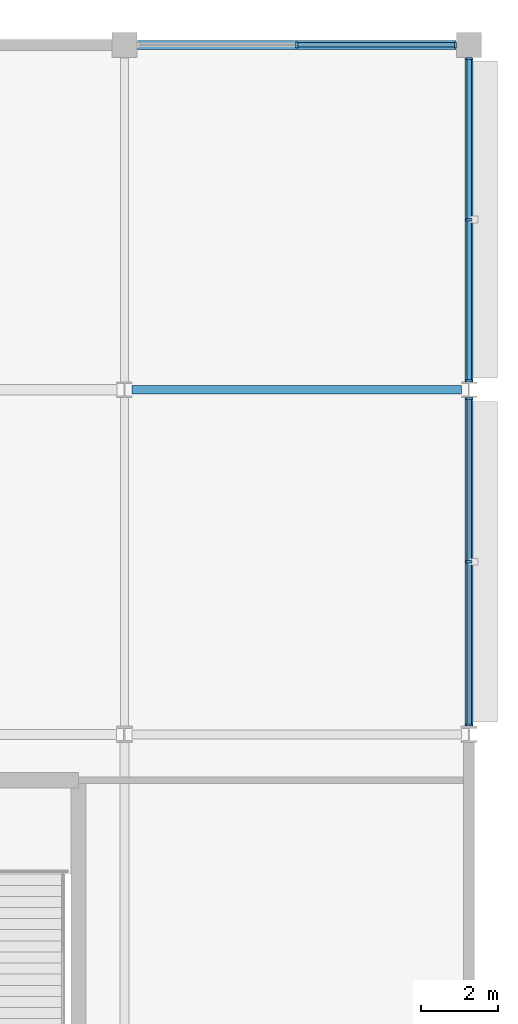
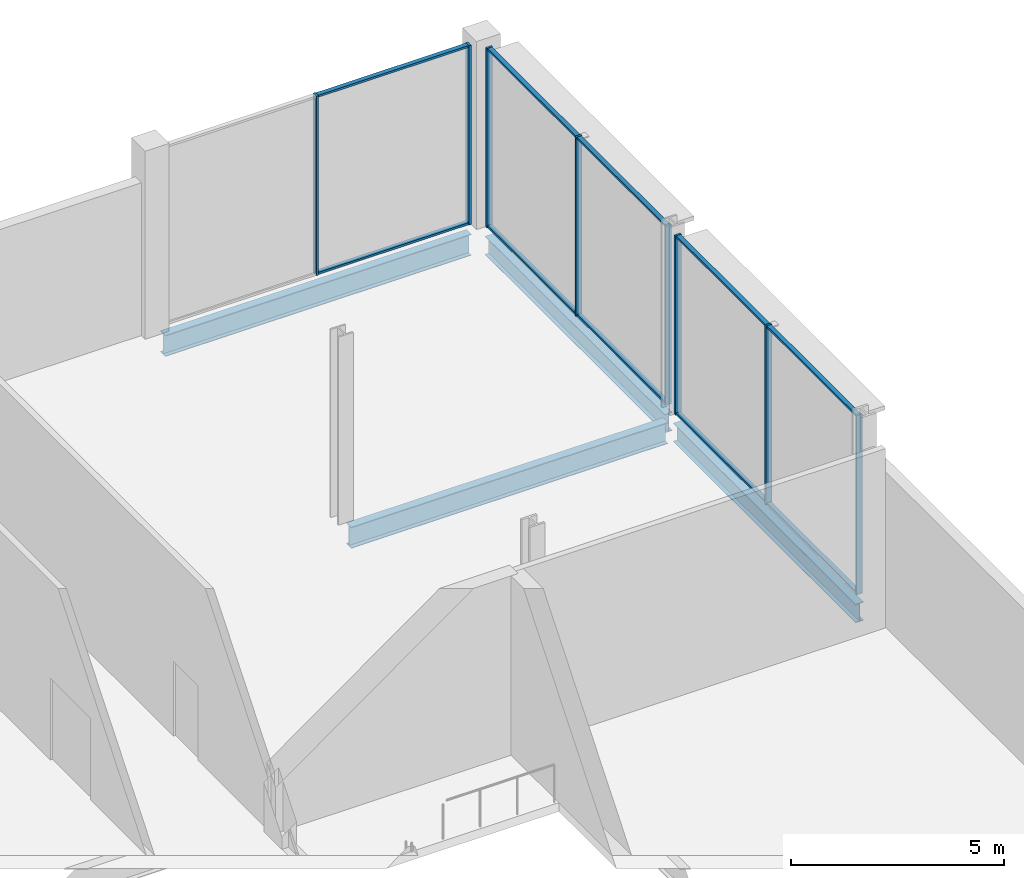
# One storey, part 59 of 113: 18 members, 4 beams, 3 elements without a shape of their own.
"""IFC4 building model written with IfcOpenShell, lengths in metres."""

from ifc_helpers import new_model, si_unit, direction, frame, origin, origin_2d, place, context, subcontext, project, spatial, rectangle, i_section, extrude, material, layer, layer_set, material_profile, profile_set, type_object, element, aggregate, save


model = new_model("IFC4")

# Units and contexts
model_context = context("Model", 3, precision=1e-05, world=origin(), true_north=direction((0.0, 1.0)))
body_context = subcontext(model_context, "Body", "Model", "MODEL_VIEW")
ifc_project = project(units=[si_unit("LENGTHUNIT", "METRE"), si_unit("AREAUNIT", "SQUARE_METRE"), si_unit("VOLUMEUNIT", "CUBIC_METRE"), si_unit("PLANEANGLEUNIT", "RADIAN"), si_unit("MASSUNIT", "GRAM", prefix="KILO")], contexts=[model_context])

# Site, building, storey
site_placement = place(None, origin())
site = spatial("IfcSite", under=ifc_project, at=site_placement, CompositionType="ELEMENT")
building_placement = place(site_placement, origin())
building = spatial("IfcBuilding", under=site, at=building_placement, Name="Kisiwana Market Hall", CompositionType="ELEMENT")
storey_placement = place(building_placement, frame((0.0, 0.0, 6.0)))
storey = spatial("IfcBuildingStorey", under=building, at=storey_placement, Name="L01", CompositionType="ELEMENT", Elevation=6.0)

# Beams
ifc_material_1 = material(Name="Steel S355", Category="steel")
ifc_material_profile_1 = material_profile(ifc_material_1, i_section(OverallWidth=0.209228515625, OverallDepth=0.533203125, WebThickness=0.010009765625, FlangeThickness=0.015625, at=origin_2d()), Name="UB 533x210x92")
ifc_profile_set_1 = profile_set([ifc_material_profile_1], Name="Steel S355")
beam_type_1 = type_object("IfcBeamType", Name="BM-GIRD-UB533", PredefinedType="BEAM", material=ifc_profile_set_1)
beam_1_placement = place(storey_placement, frame((198.0, 102.21337890625, -0.5166015625), z_axis=(0.0, 1.0, 0.0), x_axis=(-1.0, 0.0, 0.0)))
element("IfcBeam", 1, at=beam_1_placement, inside=storey, type_object=beam_type_1, Name="Floor beam B-0577", PredefinedType="BEAM", context=body_context, shape_type="SweptSolid", body=[
    extrude(i_section(OverallWidth=0.209228515625, OverallDepth=0.533203125, WebThickness=0.010009765625, FlangeThickness=0.015625, at=origin_2d()), origin(), (0.0, 0.0, 1.0), 8.58740234375),
])
beam_2_placement = place(storey_placement, frame((198.0, 111.19921875, -0.5166015625), z_axis=(0.0, 1.0, 0.0), x_axis=(-1.0, 0.0, 0.0)))
element("IfcBeam", 2, at=beam_2_placement, inside=storey, type_object=beam_type_1, Name="Floor beam B-0578", PredefinedType="BEAM", context=body_context, shape_type="SweptSolid", body=[
    extrude(i_section(OverallWidth=0.209228515625, OverallDepth=0.533203125, WebThickness=0.010009765625, FlangeThickness=0.015625, at=origin_2d()), origin(), (0.0, 0.0, 1.0), 8.454833984375),
])
ifc_material_2 = material(Name="Steel S355", Category="steel")
ifc_material_profile_2 = material_profile(ifc_material_2, i_section(OverallWidth=0.22900390625, OverallDepth=0.6123046875, WebThickness=0.011962890625, FlangeThickness=0.01953125, at=origin_2d()), Name="UB 610x229x125")
ifc_profile_set_2 = profile_set([ifc_material_profile_2], Name="Steel S355")
beam_type_2 = type_object("IfcBeamType", Name="BM-GIRD-UB610H", PredefinedType="BEAM", material=ifc_profile_set_2)
beam_3_placement = place(storey_placement, frame((189.197509765625, 111.0, -0.55615234375), z_axis=(1.0, 0.0, 0.0), x_axis=(0.0, 1.0, 0.0)))
element("IfcBeam", 3, at=beam_3_placement, inside=storey, type_object=beam_type_2, Name="Floor beam B-0540", PredefinedType="BEAM", context=body_context, shape_type="SweptSolid", body=[
    extrude(i_section(OverallWidth=0.22900390625, OverallDepth=0.6123046875, WebThickness=0.011962890625, FlangeThickness=0.01953125, at=origin_2d()), origin(), (0.0, 0.0, 1.0), 8.60498046875),
])
beam_4_placement = place(storey_placement, frame((189.345947265625, 120.0, -0.55615234375), z_axis=(1.0, 0.0, 0.0), x_axis=(0.0, 1.0, 0.0)))
element("IfcBeam", 4, at=beam_4_placement, inside=storey, type_object=beam_type_2, Name="Floor beam B-0554", PredefinedType="BEAM", context=body_context, shape_type="SweptSolid", body=[
    extrude(i_section(OverallWidth=0.22900390625, OverallDepth=0.6123046875, WebThickness=0.011962890625, FlangeThickness=0.01953125, at=origin_2d()), origin(), (0.0, 0.0, 1.0), 8.30810546875),
])

# Curtain wall, members
ifc_material_3 = material(Name="Double-glazed solar-control low-E IGU", Category="glass")
ifc_layer = layer(ifc_material_3, 0.159912109375)
ifc_layer_set = layer_set([ifc_layer], Name="CW-FC-N-8100")
curtain_wall_type = type_object("IfcCurtainWallType", Name="CW-FC-N-8100", PredefinedType="USERDEFINED", material=ifc_layer_set)
curtain_wall_1_placement = place(storey_placement, origin())
curtain_wall_1 = element("IfcCurtainWall", 5, at=curtain_wall_1_placement, inside=storey, type_object=curtain_wall_type, Name="Unitised curtain wall CW-044 (L01)", ObjectType="UNITISED CURTAIN WALL", PredefinedType="USERDEFINED")
ifc_material_4 = material(Name="Aluminium alloy 6063-T6", Category="aluminium")
ifc_material_profile_3 = material_profile(ifc_material_4, rectangle(XDim=0.06005859375, YDim=0.159912109375, at=origin_2d()), Name="ALU MULLION 60x160")
ifc_profile_set_3 = profile_set([ifc_material_profile_3], Name="Aluminium alloy 6063-T6")
member_type_1 = type_object("IfcMemberType", Name="CW-MULL-60x160", PredefinedType="MULLION", material=ifc_profile_set_3)
member_1_placement = place(storey_placement, frame((193.5, 120.0, 0.0), z_axis=(0.0, 0.0, 1.0), x_axis=(1.0, 0.0, 0.0)))
member_1 = element("IfcMember", 6, at=member_1_placement, type_object=member_type_1, Name="CW-044 mullion 2", PredefinedType="MULLION", context=body_context, shape_type="SweptSolid", body=[
    extrude(rectangle(XDim=0.06005859375, YDim=0.159912109375, at=origin_2d()), origin(), (0.0, 0.0, 1.0), 5.14990234375),
])
member_2_placement = place(storey_placement, frame((197.64501953125, 120.0, 0.0), z_axis=(0.0, 0.0, 1.0), x_axis=(1.0, 0.0, 0.0)))
member_2 = element("IfcMember", 7, at=member_2_placement, type_object=member_type_1, Name="CW-044 mullion 3", PredefinedType="MULLION", context=body_context, shape_type="SweptSolid", body=[
    extrude(rectangle(XDim=0.06005859375, YDim=0.159912109375, at=origin_2d()), origin(), (0.0, 0.0, 1.0), 5.14990234375),
])

curtain_wall_2_placement = place(storey_placement, origin())
curtain_wall_2 = element("IfcCurtainWall", 8, at=curtain_wall_2_placement, inside=storey, type_object=curtain_wall_type, Name="Unitised curtain wall CW-051 (L01)", ObjectType="UNITISED CURTAIN WALL", PredefinedType="USERDEFINED")
member_3_placement = place(storey_placement, frame((198.0, 102.24755859375, 0.0), z_axis=(0.0, 0.0, 1.0), x_axis=(0.0, 1.0, 0.0)))
member_3 = element("IfcMember", 9, at=member_3_placement, type_object=member_type_1, Name="CW-051 mullion 1", PredefinedType="MULLION", context=body_context, shape_type="SweptSolid", body=[
    extrude(rectangle(XDim=0.06005859375, YDim=0.159912109375, at=origin_2d()), origin(), (0.0, 0.0, 1.0), 5.14990234375),
])
member_4_placement = place(storey_placement, frame((198.0, 106.507080078125, 0.0), z_axis=(0.0, 0.0, 1.0), x_axis=(0.0, 1.0, 0.0)))
member_4 = element("IfcMember", 10, at=member_4_placement, type_object=member_type_1, Name="CW-051 mullion 2", PredefinedType="MULLION", context=body_context, shape_type="SweptSolid", body=[
    extrude(rectangle(XDim=0.06005859375, YDim=0.159912109375, at=origin_2d()), origin(), (0.0, 0.0, 1.0), 5.14990234375),
])
member_5_placement = place(storey_placement, frame((198.0, 110.766845703125, 0.0), z_axis=(0.0, 0.0, 1.0), x_axis=(0.0, 1.0, 0.0)))
member_5 = element("IfcMember", 11, at=member_5_placement, type_object=member_type_1, Name="CW-051 mullion 3", PredefinedType="MULLION", context=body_context, shape_type="SweptSolid", body=[
    extrude(rectangle(XDim=0.06005859375, YDim=0.159912109375, at=origin_2d()), origin(), (0.0, 0.0, 1.0), 5.14990234375),
])

curtain_wall_3_placement = place(storey_placement, origin())
curtain_wall_3 = element("IfcCurtainWall", 12, at=curtain_wall_3_placement, inside=storey, type_object=curtain_wall_type, Name="Unitised curtain wall CW-052 (L01)", ObjectType="UNITISED CURTAIN WALL", PredefinedType="USERDEFINED")
member_6_placement = place(storey_placement, frame((198.0, 111.233154296875, 0.0), z_axis=(0.0, 0.0, 1.0), x_axis=(0.0, 1.0, 0.0)))
member_6 = element("IfcMember", 13, at=member_6_placement, type_object=member_type_1, Name="CW-052 mullion 1", PredefinedType="MULLION", context=body_context, shape_type="SweptSolid", body=[
    extrude(rectangle(XDim=0.06005859375, YDim=0.159912109375, at=origin_2d()), origin(), (0.0, 0.0, 1.0), 5.14990234375),
])
member_7_placement = place(storey_placement, frame((198.0, 115.439208984375, 0.0), z_axis=(0.0, 0.0, 1.0), x_axis=(0.0, 1.0, 0.0)))
member_7 = element("IfcMember", 14, at=member_7_placement, type_object=member_type_1, Name="CW-052 mullion 2", PredefinedType="MULLION", context=body_context, shape_type="SweptSolid", body=[
    extrude(rectangle(XDim=0.06005859375, YDim=0.159912109375, at=origin_2d()), origin(), (0.0, 0.0, 1.0), 5.14990234375),
])
member_8_placement = place(storey_placement, frame((198.0, 119.64501953125, 0.0), z_axis=(0.0, 0.0, 1.0), x_axis=(0.0, 1.0, 0.0)))
member_8 = element("IfcMember", 15, at=member_8_placement, type_object=member_type_1, Name="CW-052 mullion 3", PredefinedType="MULLION", context=body_context, shape_type="SweptSolid", body=[
    extrude(rectangle(XDim=0.06005859375, YDim=0.159912109375, at=origin_2d()), origin(), (0.0, 0.0, 1.0), 5.14990234375),
])

# Member
ifc_material_5 = material(Name="Aluminium alloy 6063-T6", Category="aluminium")
ifc_material_profile_4 = material_profile(ifc_material_5, rectangle(XDim=0.1201171875, YDim=0.06005859375, at=origin_2d()), Name="ALU TRANSOM 60x120")
ifc_profile_set_4 = profile_set([ifc_material_profile_4], Name="Aluminium alloy 6063-T6")
member_type_2 = type_object("IfcMemberType", Name="CW-TRAN-60x120", PredefinedType="USERDEFINED", material=ifc_profile_set_4)
member_9_placement = place(storey_placement, frame((193.530029296875, 120.0, 0.030029296875), z_axis=(1.0, 0.0, 0.0), x_axis=(0.0, 1.0, 0.0)))
member_9 = element("IfcMember", 16, at=member_9_placement, type_object=member_type_2, Name="CW-044 transom 2.1", ObjectType="TRANSOM", PredefinedType="USERDEFINED", context=body_context, shape_type="SweptSolid", body=[
    extrude(rectangle(XDim=0.1201171875, YDim=0.06005859375, at=origin_2d()), origin(), (0.0, 0.0, 1.0), 4.0849609375),
])

member_10_placement = place(storey_placement, frame((193.530029296875, 120.0, 5.1201171875), z_axis=(1.0, 0.0, 0.0), x_axis=(0.0, 1.0, 0.0)))
member_10 = element("IfcMember", 17, at=member_10_placement, type_object=member_type_2, Name="CW-044 transom 2.2", ObjectType="TRANSOM", PredefinedType="USERDEFINED", context=body_context, shape_type="SweptSolid", body=[
    extrude(rectangle(XDim=0.1201171875, YDim=0.06005859375, at=origin_2d()), origin(), (0.0, 0.0, 1.0), 4.0849609375),
])

aggregate(curtain_wall_1, [member_1, member_2, member_9, member_10])

member_11_placement = place(storey_placement, frame((198.0, 102.277587890625, 0.030029296875), z_axis=(0.0, 1.0, 0.0), x_axis=(-1.0, 0.0, 0.0)))
member_11 = element("IfcMember", 18, at=member_11_placement, type_object=member_type_2, Name="CW-051 transom 1.1", ObjectType="TRANSOM", PredefinedType="USERDEFINED", context=body_context, shape_type="SweptSolid", body=[
    extrude(rectangle(XDim=0.1201171875, YDim=0.06005859375, at=origin_2d()), origin(), (0.0, 0.0, 1.0), 4.199462890625),
])

member_12_placement = place(storey_placement, frame((198.0, 102.277587890625, 5.1201171875), z_axis=(0.0, 1.0, 0.0), x_axis=(-1.0, 0.0, 0.0)))
member_12 = element("IfcMember", 19, at=member_12_placement, type_object=member_type_2, Name="CW-051 transom 1.2", ObjectType="TRANSOM", PredefinedType="USERDEFINED", context=body_context, shape_type="SweptSolid", body=[
    extrude(rectangle(XDim=0.1201171875, YDim=0.06005859375, at=origin_2d()), origin(), (0.0, 0.0, 1.0), 4.199462890625),
])

member_13_placement = place(storey_placement, frame((198.0, 106.537109375, 0.030029296875), z_axis=(0.0, 1.0, 0.0), x_axis=(-1.0, 0.0, 0.0)))
member_13 = element("IfcMember", 20, at=member_13_placement, type_object=member_type_2, Name="CW-051 transom 2.1", ObjectType="TRANSOM", PredefinedType="USERDEFINED", context=body_context, shape_type="SweptSolid", body=[
    extrude(rectangle(XDim=0.1201171875, YDim=0.06005859375, at=origin_2d()), origin(), (0.0, 0.0, 1.0), 4.19970703125),
])

member_14_placement = place(storey_placement, frame((198.0, 106.537109375, 5.1201171875), z_axis=(0.0, 1.0, 0.0), x_axis=(-1.0, 0.0, 0.0)))
member_14 = element("IfcMember", 21, at=member_14_placement, type_object=member_type_2, Name="CW-051 transom 2.2", ObjectType="TRANSOM", PredefinedType="USERDEFINED", context=body_context, shape_type="SweptSolid", body=[
    extrude(rectangle(XDim=0.1201171875, YDim=0.06005859375, at=origin_2d()), origin(), (0.0, 0.0, 1.0), 4.19970703125),
])

aggregate(curtain_wall_2, [member_3, member_4, member_5, member_11, member_12, member_13, member_14])

member_15_placement = place(storey_placement, frame((198.0, 111.26318359375, 0.030029296875), z_axis=(0.0, 1.0, 0.0), x_axis=(-1.0, 0.0, 0.0)))
member_15 = element("IfcMember", 22, at=member_15_placement, type_object=member_type_2, Name="CW-052 transom 1.1", ObjectType="TRANSOM", PredefinedType="USERDEFINED", context=body_context, shape_type="SweptSolid", body=[
    extrude(rectangle(XDim=0.1201171875, YDim=0.06005859375, at=origin_2d()), origin(), (0.0, 0.0, 1.0), 4.14599609375),
])

member_16_placement = place(storey_placement, frame((198.0, 111.26318359375, 5.1201171875), z_axis=(0.0, 1.0, 0.0), x_axis=(-1.0, 0.0, 0.0)))
member_16 = element("IfcMember", 23, at=member_16_placement, type_object=member_type_2, Name="CW-052 transom 1.2", ObjectType="TRANSOM", PredefinedType="USERDEFINED", context=body_context, shape_type="SweptSolid", body=[
    extrude(rectangle(XDim=0.1201171875, YDim=0.06005859375, at=origin_2d()), origin(), (0.0, 0.0, 1.0), 4.14599609375),
])

member_17_placement = place(storey_placement, frame((198.0, 115.468994140625, 0.030029296875), z_axis=(0.0, 1.0, 0.0), x_axis=(-1.0, 0.0, 0.0)))
member_17 = element("IfcMember", 24, at=member_17_placement, type_object=member_type_2, Name="CW-052 transom 2.1", ObjectType="TRANSOM", PredefinedType="USERDEFINED", context=body_context, shape_type="SweptSolid", body=[
    extrude(rectangle(XDim=0.1201171875, YDim=0.06005859375, at=origin_2d()), origin(), (0.0, 0.0, 1.0), 4.14599609375),
])

member_18_placement = place(storey_placement, frame((198.0, 115.468994140625, 5.1201171875), z_axis=(0.0, 1.0, 0.0), x_axis=(-1.0, 0.0, 0.0)))
member_18 = element("IfcMember", 25, at=member_18_placement, type_object=member_type_2, Name="CW-052 transom 2.2", ObjectType="TRANSOM", PredefinedType="USERDEFINED", context=body_context, shape_type="SweptSolid", body=[
    extrude(rectangle(XDim=0.1201171875, YDim=0.06005859375, at=origin_2d()), origin(), (0.0, 0.0, 1.0), 4.14599609375),
])

aggregate(curtain_wall_3, [member_6, member_7, member_8, member_15, member_16, member_17, member_18])

save(model, "model.ifc")
